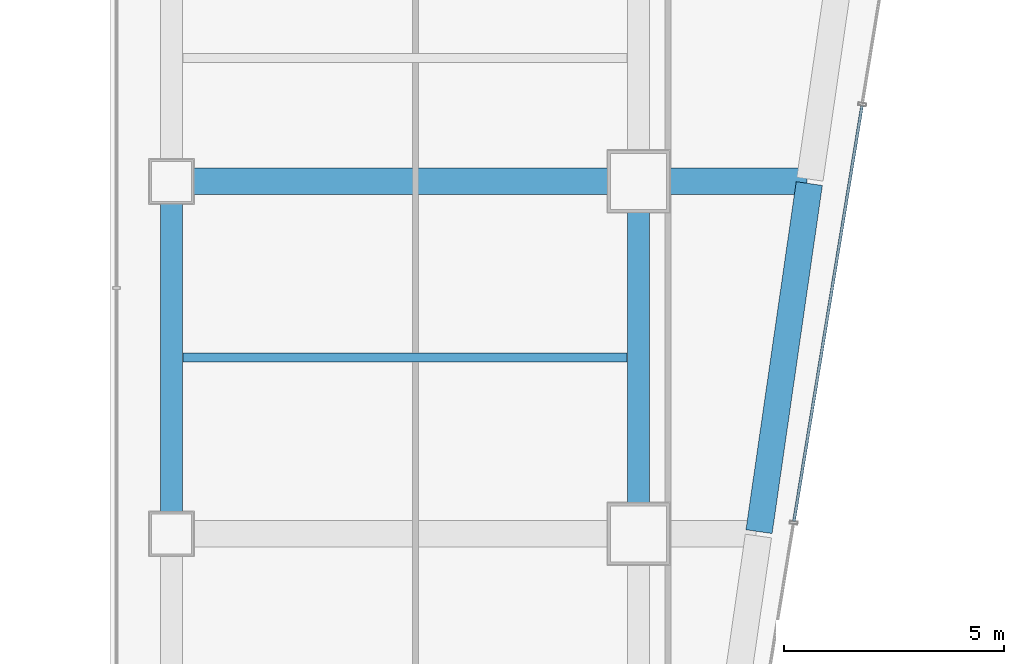
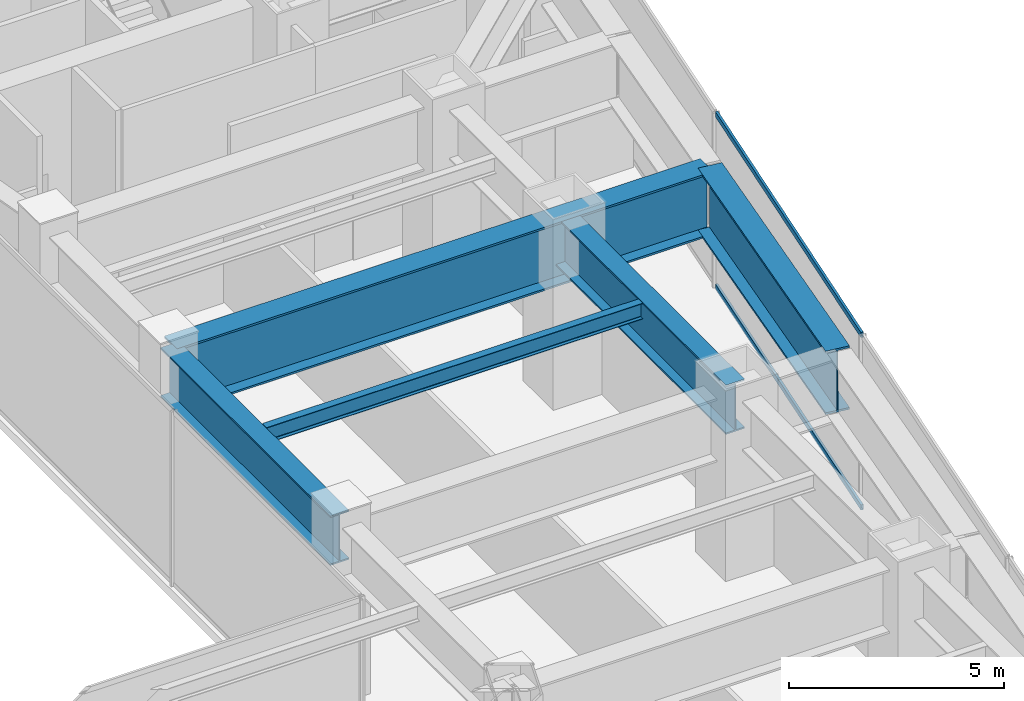
# One storey, part 23 of 42: 5 beams, 2 members, 1 element without a shape of its own.
"""IFC4 building model written with IfcOpenShell, lengths in metres."""

from ifc_helpers import new_model, si_unit, direction, frame, origin, origin_2d, place, context, subcontext, project, spatial, hollow_rectangle, i_section, extrude, material, material_profile, profile_set, type_object, element, aggregate, save


model = new_model("IFC4")

# Units and contexts
model_context = context("Model", 3, precision=1e-05, world=origin(), true_north=direction((0.0, 1.0)))
body_context = subcontext(model_context, "Body", "Model", "MODEL_VIEW")
ifc_project = project(units=[si_unit("LENGTHUNIT", "METRE"), si_unit("AREAUNIT", "SQUARE_METRE"), si_unit("VOLUMEUNIT", "CUBIC_METRE"), si_unit("PLANEANGLEUNIT", "RADIAN"), si_unit("MASSUNIT", "GRAM", prefix="KILO")], contexts=[model_context])

# Site, building, storey
site_placement = place(None, origin())
site = spatial("IfcSite", under=ifc_project, at=site_placement, CompositionType="ELEMENT")
building_placement = place(site_placement, origin())
building = spatial("IfcBuilding", under=site, at=building_placement, Name="Saevonmaru Cultural Tower", CompositionType="ELEMENT")
storey_placement = place(building_placement, frame((0.0, 0.0, 33.0)))
storey = spatial("IfcBuildingStorey", under=building, at=storey_placement, Name="L06", CompositionType="ELEMENT", Elevation=33.0)

# Beams
ifc_material_1 = material(Name="Steel SM355", Category="steel")
ifc_material_profile_1 = material_profile(ifc_material_1, i_section(OverallWidth=0.199951171875, OverallDepth=0.449951171875, WebThickness=0.009033203125, FlangeThickness=0.013916015625, FilletRadius=0.01806640625, at=origin_2d()), Name="H-450x200x9x14")
ifc_profile_set_1 = profile_set([ifc_material_profile_1], Name="Steel SM355")
beam_type_1 = type_object("IfcBeamType", Name="BM-J-H450", PredefinedType="JOIST", material=ifc_profile_set_1)
beam_1_placement = place(storey_placement, frame((37.4580078125, 28.0, 4.72509765625), z_axis=(1.0, 0.0, 0.0), x_axis=(0.0, 1.0, 0.0)))
element("IfcBeam", 1, at=beam_1_placement, inside=storey, type_object=beam_type_1, Name="L06 Secondary Floor Joist JE-3", PredefinedType="JOIST", context=body_context, shape_type="SweptSolid", body=[
    extrude(i_section(OverallWidth=0.199951171875, OverallDepth=0.449951171875, WebThickness=0.009033203125, FlangeThickness=0.013916015625, FilletRadius=0.01806640625, at=origin_2d()), origin(), (0.0, 0.0, 1.0), 10.083984375),
])
ifc_material_2 = material(Name="Steel HSA600 (600 MPa)", Category="steel")
ifc_material_profile_2 = material_profile(ifc_material_2, i_section(OverallWidth=0.5, OverallDepth=1.39990234375, WebThickness=0.02392578125, FlangeThickness=0.044921875, at=origin_2d()), Name="PG-1400x500x24x45")
ifc_profile_set_2 = profile_set([ifc_material_profile_2], Name="Steel HSA600 (600 MPa)")
beam_type_2 = type_object("IfcBeamType", Name="BM-TG-PG1400", PredefinedType="BEAM", material=ifc_profile_set_2)
for number, where, z_axis, x_axis, name in (
    (2, (37.199951171875, 24.06005859375, 4.25), (0.0, 1.0, 0.0), (-1.0, 0.0, 0.0), "L06 Podium Girder NS3-4"),
    (3, (47.800048828125, 24.06005859375, 4.25), (0.0, 1.0, 0.0), (-1.0, 0.0, 0.0), "L06 Podium Girder NS4-4"),
):
    element("IfcBeam", number, at=place(storey_placement, frame(where, z_axis=z_axis, x_axis=x_axis)), inside=storey, type_object=beam_type_2, Name=name, PredefinedType="BEAM", context=body_context, shape_type="SweptSolid", body=[
        extrude(i_section(OverallWidth=0.5, OverallDepth=1.39990234375, WebThickness=0.02392578125, FlangeThickness=0.044921875, at=origin_2d()), origin(), (0.0, 0.0, 1.0), 7.8798828125),
    ])
ifc_material_profile_3 = material_profile(ifc_material_2, i_section(OverallWidth=0.60009765625, OverallDepth=1.800048828125, WebThickness=0.028076171875, FlangeThickness=0.054931640625, at=origin_2d()), Name="PG-1800x600x28x55")
ifc_profile_set_3 = profile_set([ifc_material_profile_3], Name="Steel HSA600 (600 MPa)")
beam_type_3 = type_object("IfcBeamType", Name="BM-TG-PG1800", PredefinedType="BEAM", material=ifc_profile_set_3)
beam_2_placement = place(storey_placement, frame((37.260009765625, 32.0, 4.050048828125), z_axis=(1.0, 0.0, 0.0), x_axis=(0.0, 1.0, 0.0)))
element("IfcBeam", 4, at=beam_2_placement, inside=storey, type_object=beam_type_3, Name="L06 Transfer Plate Girder E-4", PredefinedType="BEAM", context=body_context, shape_type="SweptSolid", body=[
    extrude(i_section(OverallWidth=0.60009765625, OverallDepth=1.800048828125, WebThickness=0.028076171875, FlangeThickness=0.054931640625, at=origin_2d()), origin(), (0.0, 0.0, 1.0), 14.363037109375),
])
ifc_material_profile_4 = material_profile(ifc_material_2, i_section(OverallWidth=0.60009765625, OverallDepth=1.800048828125, WebThickness=0.028076171875, FlangeThickness=0.054931640625, at=origin_2d()), Name="PG-1800x600x28x55")
ifc_profile_set_4 = profile_set([ifc_material_profile_4], Name="Steel HSA600 (600 MPa)")
beam_type_4 = type_object("IfcBeamType", Name="BM-TG-PG1800-EXT", PredefinedType="SPANDREL", material=ifc_profile_set_4)
beam_3_placement = place(storey_placement, frame((50.53515625, 24.049560546875, 4.050048828125), z_axis=(0.142885533572, 0.989739220348, 0.0), x_axis=(-0.989739220348, 0.142885533572, 0.0)))
element("IfcBeam", 5, at=beam_3_placement, inside=storey, type_object=beam_type_4, Name="L06 Perimeter Transfer Spandrel E-4", PredefinedType="SPANDREL", context=body_context, shape_type="SweptSolid", body=[
    extrude(i_section(OverallWidth=0.60009765625, OverallDepth=1.800048828125, WebThickness=0.028076171875, FlangeThickness=0.054931640625, at=origin_2d()), origin(), (0.0, 0.0, 1.0), 7.98291015625),
])

# Curtain wall, members
ifc_material_3 = material(Name="Satin Bronze Anodised Aluminium", Category="aluminium")
curtain_wall_type = type_object("IfcCurtainWallType", Name="CW-SKY-GLZ", PredefinedType="NOTDEFINED", material=ifc_material_3)
curtain_wall_placement = place(storey_placement, origin())
curtain_wall = element("IfcCurtainWall", 6, at=curtain_wall_placement, inside=storey, type_object=curtain_wall_type, Name="L06 Unitised Curtain Wall E8", PredefinedType="NOTDEFINED")
ifc_material_profile_5 = material_profile(ifc_material_3, hollow_rectangle(XDim=0.06494140625, YDim=0.14990234375, WallThickness=0.00390625, at=origin_2d()), Name="ALU-TRAN-150x65x4")
ifc_profile_set_5 = profile_set([ifc_material_profile_5], Name="Satin Bronze Anodised Aluminium")
member_type = type_object("IfcMemberType", Name="TR-CW-150x65", PredefinedType="USERDEFINED", material=ifc_profile_set_5)
member_1_placement = place(storey_placement, frame((51.3271484375, 24.283935546875, 0.032470703125), z_axis=(0.161714267134, 0.986837623829, 0.0), x_axis=(-0.986837623829, 0.161714267134, 0.0)))
member_1 = element("IfcMember", 7, at=member_1_placement, type_object=member_type, Name="CW-TW-L06-E8 transom 3.1", ObjectType="TRANSOM", PredefinedType="USERDEFINED", context=body_context, shape_type="SweptSolid", body=[
    extrude(hollow_rectangle(XDim=0.06494140625, YDim=0.14990234375, WallThickness=0.00390625, at=origin_2d()), origin(), (0.0, 0.0, 1.0), 9.557861328125),
])
member_2_placement = place(storey_placement, frame((51.3271484375, 24.283935546875, 4.91748046875), z_axis=(0.161714267134, 0.986837623829, 0.0), x_axis=(-0.986837623829, 0.161714267134, 0.0)))
member_2 = element("IfcMember", 8, at=member_2_placement, type_object=member_type, Name="CW-TW-L06-E8 transom 3.2", ObjectType="TRANSOM", PredefinedType="USERDEFINED", context=body_context, shape_type="SweptSolid", body=[
    extrude(hollow_rectangle(XDim=0.06494140625, YDim=0.14990234375, WallThickness=0.00390625, at=origin_2d()), origin(), (0.0, 0.0, 1.0), 9.557861328125),
])
aggregate(curtain_wall, [member_1, member_2])

save(model, "model.ifc")
